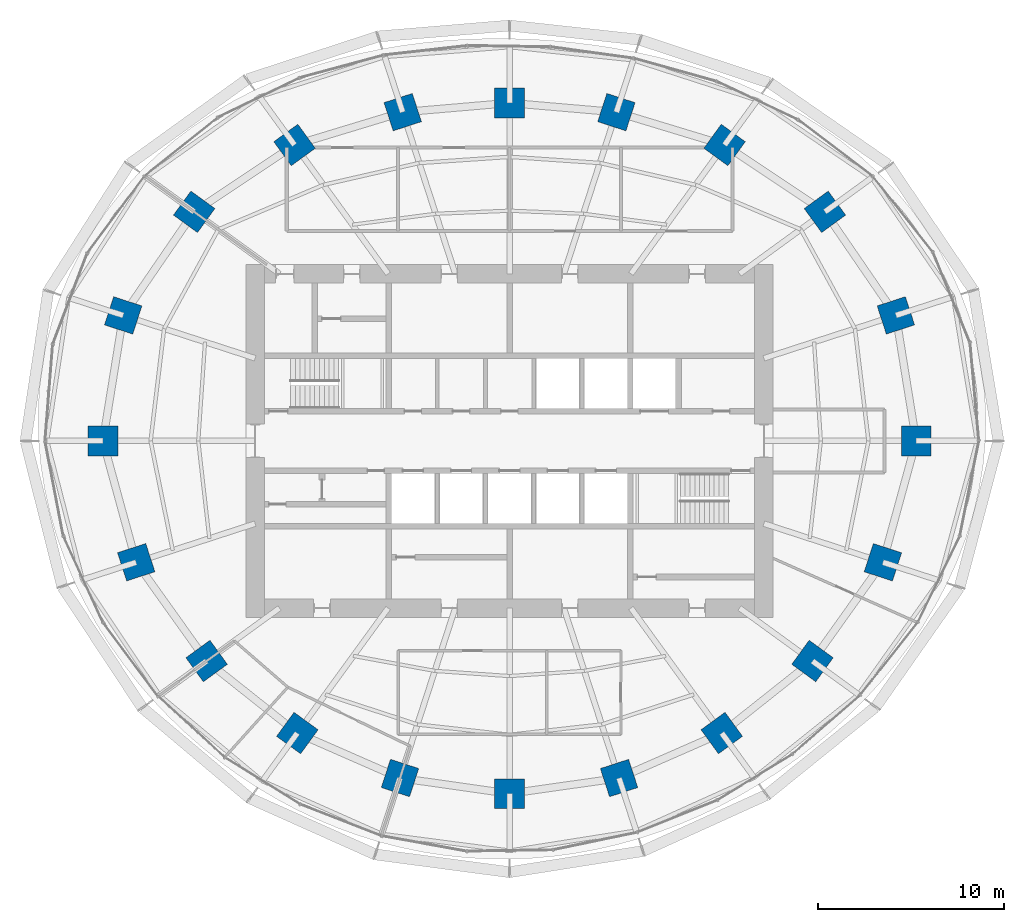
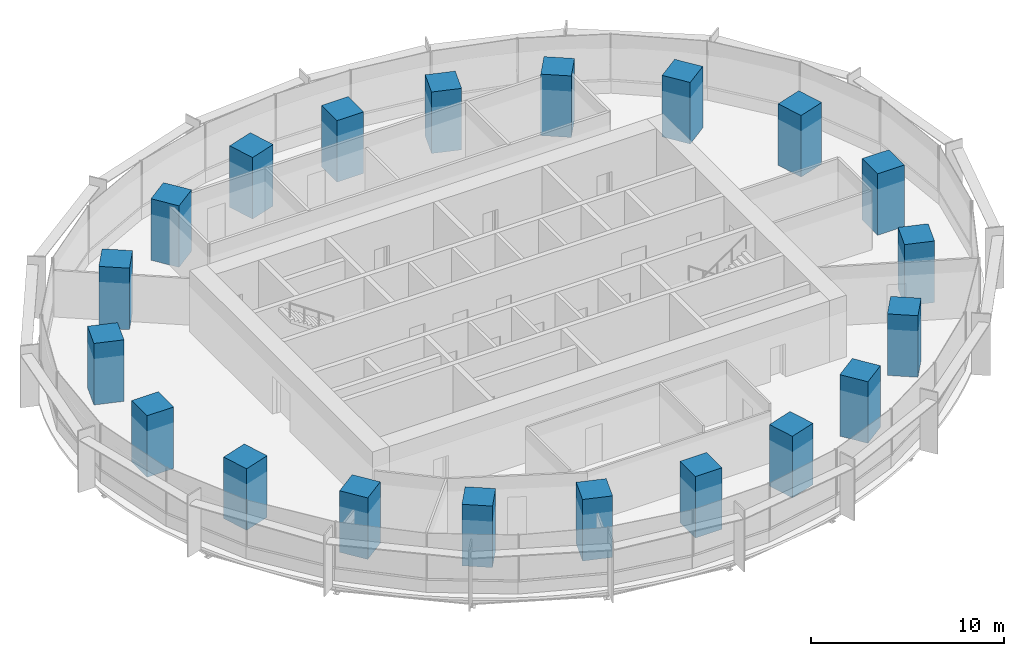
# One storey, part 1 of 14: 20 columns.
"""IFC4 building model written with IfcOpenShell, lengths in metres."""

from ifc_helpers import new_model, si_unit, direction, frame, origin, origin_2d, place, context, subcontext, project, spatial, rectangle, extrude, material, material_profile, profile_set, type_object, element, save


model = new_model("IFC4")

# Units and contexts
model_context = context("Model", 3, precision=1e-05, world=origin(), true_north=direction((0.0, 1.0)))
body_context = subcontext(model_context, "Body", "Model", "MODEL_VIEW")
ifc_project = project(units=[si_unit("LENGTHUNIT", "METRE"), si_unit("AREAUNIT", "SQUARE_METRE"), si_unit("VOLUMEUNIT", "CUBIC_METRE"), si_unit("PLANEANGLEUNIT", "RADIAN"), si_unit("MASSUNIT", "GRAM", prefix="KILO")], contexts=[model_context])

# Site, building, storey
site_placement = place(None, origin())
site = spatial("IfcSite", under=ifc_project, at=site_placement, CompositionType="ELEMENT")
building_placement = place(site_placement, origin())
building = spatial("IfcBuilding", under=site, at=building_placement, Name="Marramba Exchange Tower", CompositionType="ELEMENT")
storey_placement = place(building_placement, frame((0.0, 0.0, 154.800048828125)))
storey = spatial("IfcBuildingStorey", under=building, at=storey_placement, Name="L37", CompositionType="ELEMENT", Elevation=154.800048828125)

# Columns
ifc_material = material(Name="Concrete N50", Category="concrete")
ifc_material_profile = material_profile(ifc_material, rectangle(XDim=1.60009765625, YDim=1.60009765625, at=origin_2d()), Name="RC 1600x1600")
ifc_profile_set = profile_set([ifc_material_profile], Name="Concrete N50")
column_type = type_object("IfcColumnType", Name="Perimeter column RC 1600x1600 N50", PredefinedType="COLUMN", material=ifc_profile_set)
for number, where, z_axis, x_axis, name in (
    (1, (21.89990234375, 0.0, 0.0), (0.0, 0.0, 1.0), (1.0, 0.0, 0.0), "Column TC01 L37"),
    (2, (20.808349609375, 6.760986328125, 0.0), (0.0, 0.0, 1.0), (0.951056516295, 0.309016994375, 0.0), "Column TC02 L37"),
    (3, (16.98583984375, 12.3408203125, 0.0), (0.0, 0.0, 1.0), (0.809016994375, 0.587785252292, 0.0), "Column TC03 L37"),
    (4, (11.581298828125, 15.9404296875, 0.0), (0.0, 0.0, 1.0), (0.587785252292, 0.809016994375, 0.0), "Column TC04 L37"),
    (5, (5.75390625, 17.70849609375, 0.0), (0.0, 0.0, 1.0), (0.309016994375, 0.951056516295, 0.0), "Column TC05 L37"),
    (6, (0.0, 18.2041015625, 0.0), (0.0, 0.0, 1.0), (0.0, 1.0, 0.0), "Column TC06 L37"),
    (7, (-5.75390625, 17.70849609375, 0.0), (0.0, 0.0, 1.0), (-0.309016994375, 0.951056516295, 0.0), "Column TC07 L37"),
    (8, (-11.581298828125, 15.9404296875, 0.0), (0.0, 0.0, 1.0), (-0.587785252292, 0.809016994375, 0.0), "Column TC08 L37"),
    (9, (-16.98583984375, 12.3408203125, 0.0), (0.0, 0.0, 1.0), (-0.809016994375, 0.587785252292, 0.0), "Column TC09 L37"),
    (10, (-20.808349609375, 6.760986328125, 0.0), (0.0, 0.0, 1.0), (-0.951056516295, 0.309016994375, 0.0), "Column TC10 L37"),
    (11, (-21.89990234375, 0.0, 0.0), (0.0, 0.0, 1.0), (-1.0, 0.0, 0.0), "Column TC11 L37"),
    (12, (-20.109375, -6.533935546875, 0.0), (0.0, 0.0, 1.0), (-0.951056516295, -0.309016994375, 0.0), "Column TC12 L37"),
    (13, (-16.3154296875, -11.853759765625, 0.0), (0.0, 0.0, 1.0), (-0.809016994375, -0.587785252292, 0.0), "Column TC13 L37"),
    (14, (-11.430419921875, -15.732666015625, 0.0), (0.0, 0.0, 1.0), (-0.587785252292, -0.809016994375, 0.0), "Column TC14 L37"),
    (15, (-5.899658203125, -18.156982421875, 0.0), (0.0, 0.0, 1.0), (-0.309016994375, -0.951056516295, 0.0), "Column TC15 L37"),
    (16, (0.0, -18.99609375, 0.0), (0.0, 0.0, 1.0), (0.0, -1.0, 0.0), "Column TC16 L37"),
    (17, (5.899658203125, -18.156982421875, 0.0), (0.0, 0.0, 1.0), (0.309016994375, -0.951056516295, 0.0), "Column TC17 L37"),
    (18, (11.430419921875, -15.732666015625, 0.0), (0.0, 0.0, 1.0), (0.587785252292, -0.809016994375, 0.0), "Column TC18 L37"),
    (19, (16.3154296875, -11.853759765625, 0.0), (0.0, 0.0, 1.0), (0.809016994375, -0.587785252292, 0.0), "Column TC19 L37"),
    (20, (20.109375, -6.533935546875, 0.0), (0.0, 0.0, 1.0), (0.951056516295, -0.309016994375, 0.0), "Column TC20 L37"),
):
    element("IfcColumn", number, at=place(storey_placement, frame(where, z_axis=z_axis, x_axis=x_axis)), inside=storey, type_object=column_type, Name=name, PredefinedType="COLUMN", context=body_context, shape_type="SweptSolid", body=[
        extrude(rectangle(XDim=1.60009765625, YDim=1.60009765625, at=origin_2d()), origin(), (0.0, 0.0, 1.0), 3.89990234375),
    ])

save(model, "model.ifc")
